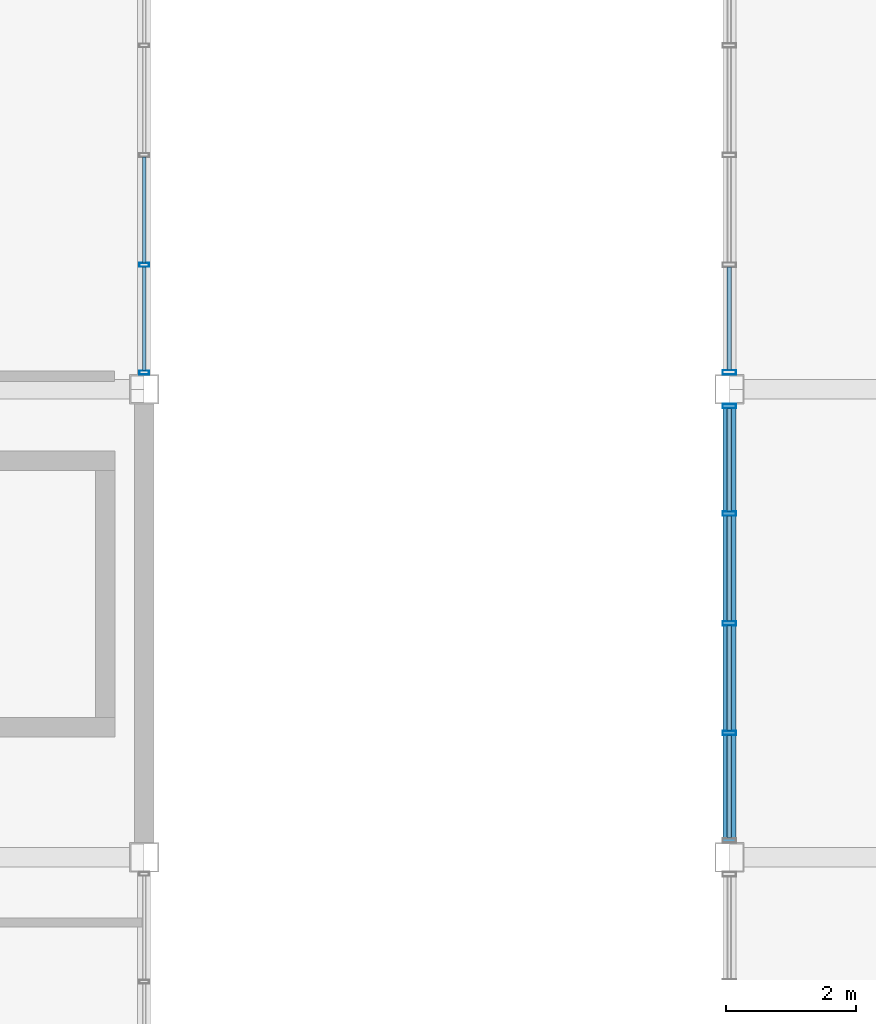
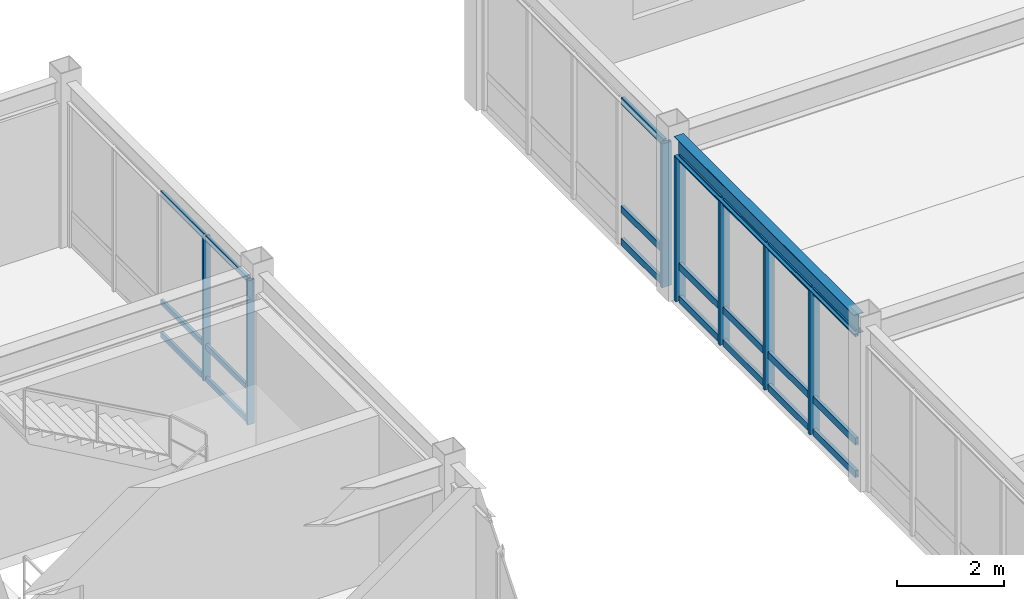
# One storey, part 61 of 113: 28 members, 1 beam, 3 elements without a shape of their own.
"""IFC4 building model written with IfcOpenShell, lengths in metres."""

from ifc_helpers import new_model, si_unit, direction, frame, origin, origin_2d, place, context, subcontext, project, spatial, hollow_rectangle, i_section, extrude, material, material_profile, profile_set, type_object, element, aggregate, save


model = new_model("IFC4")

# Units and contexts
model_context = context("Model", 3, precision=1e-05, world=origin(), true_north=direction((0.0, 1.0)))
body_context = subcontext(model_context, "Body", "Model", "MODEL_VIEW")
ifc_project = project(units=[si_unit("LENGTHUNIT", "METRE"), si_unit("AREAUNIT", "SQUARE_METRE"), si_unit("VOLUMEUNIT", "CUBIC_METRE"), si_unit("PLANEANGLEUNIT", "RADIAN"), si_unit("MASSUNIT", "GRAM", prefix="KILO")], contexts=[model_context])

# Site, building, storey
site_placement = place(None, origin())
site = spatial("IfcSite", under=ifc_project, at=site_placement, CompositionType="ELEMENT")
building_placement = place(site_placement, origin())
building = spatial("IfcBuilding", under=site, at=building_placement, Name="Kazanami Central Library", CompositionType="ELEMENT")
storey_placement = place(building_placement, frame((0.0, 0.0, 8.800048828125)))
storey = spatial("IfcBuildingStorey", under=building, at=storey_placement, Name="L03", CompositionType="ELEMENT", Elevation=8.800048828125)

# Beam
ifc_material_1 = material(Name="Steel SN490B (325 MPa)", Category="steel")
ifc_material_profile_1 = material_profile(ifc_material_1, i_section(OverallWidth=0.199951171875, OverallDepth=0.449951171875, WebThickness=0.009033203125, FlangeThickness=0.013916015625, at=origin_2d()), Name="H-450x200x9x14")
ifc_profile_set_1 = profile_set([ifc_material_profile_1], Name="Steel SN490B (325 MPa)")
beam_type = type_object("IfcBeamType", Name="BM-SP-2", PredefinedType="SPANDREL", material=ifc_profile_set_1)
beam_placement = place(storey_placement, frame((45.0, 79.423095703125, 3.52001953125), z_axis=(0.0, 1.0, 0.0), x_axis=(-1.0, 0.0, 0.0)))
element("IfcBeam", 1, at=beam_placement, inside=storey, type_object=beam_type, Name="Girder SP-2 L03 6/M-N", PredefinedType="SPANDREL", context=body_context, shape_type="SweptSolid", body=[
    extrude(i_section(OverallWidth=0.199951171875, OverallDepth=0.449951171875, WebThickness=0.009033203125, FlangeThickness=0.013916015625, at=origin_2d()), origin(), (0.0, 0.0, 1.0), 6.75390625),
])

# Curtain wall, members
ifc_material_2 = material(Name="Acid-Etched Low-E Laminated Glass", Category="glass")
curtain_wall_type = type_object("IfcCurtainWallType", Name="CW-6750x3295-M180", PredefinedType="USERDEFINED", material=ifc_material_2)
curtain_wall_1_placement = place(storey_placement, origin())
curtain_wall_1 = element("IfcCurtainWall", 2, at=curtain_wall_1_placement, inside=storey, type_object=curtain_wall_type, Name="Covered Link Bridge Curtain Wall CW-32 L03 W-6-11", ObjectType="UNITISED CURTAIN WALL", PredefinedType="USERDEFINED")
ifc_material_3 = material(Name="Anodised Aluminium A6063-T5", Category="aluminium")
ifc_material_profile_2 = material_profile(ifc_material_3, hollow_rectangle(XDim=0.070068359375, YDim=0.2099609375, WallThickness=0.0048828125, at=origin_2d()), Name="ALU-MULL-70x210x5")
ifc_profile_set_2 = profile_set([ifc_material_profile_2], Name="Anodised Aluminium A6063-T5")
member_type_1 = type_object("IfcMemberType", Name="MEM-CW-M1", PredefinedType="MULLION", material=ifc_profile_set_2)
member_1_placement = place(storey_placement, frame((45.0, 81.112548828125, 0.0), z_axis=(0.0, 0.0, 1.0), x_axis=(0.0, 1.0, 0.0)))
member_1 = element("IfcMember", 3, at=member_1_placement, type_object=member_type_1, Name="CW-32 mullion 2", PredefinedType="MULLION", context=body_context, shape_type="SweptSolid", body=[
    extrude(hollow_rectangle(XDim=0.070068359375, YDim=0.2099609375, WallThickness=0.0048828125, at=origin_2d()), origin(), (0.0, 0.0, 1.0), 3.294921875),
])
member_2_placement = place(storey_placement, frame((45.0, 82.800048828125, 0.0), z_axis=(0.0, 0.0, 1.0), x_axis=(0.0, 1.0, 0.0)))
member_2 = element("IfcMember", 4, at=member_2_placement, type_object=member_type_1, Name="CW-32 mullion 3", PredefinedType="MULLION", context=body_context, shape_type="SweptSolid", body=[
    extrude(hollow_rectangle(XDim=0.070068359375, YDim=0.2099609375, WallThickness=0.0048828125, at=origin_2d()), origin(), (0.0, 0.0, 1.0), 3.294921875),
])
member_3_placement = place(storey_placement, frame((45.0, 84.487548828125, 0.0), z_axis=(0.0, 0.0, 1.0), x_axis=(0.0, 1.0, 0.0)))
member_3 = element("IfcMember", 5, at=member_3_placement, type_object=member_type_1, Name="CW-32 mullion 4", PredefinedType="MULLION", context=body_context, shape_type="SweptSolid", body=[
    extrude(hollow_rectangle(XDim=0.070068359375, YDim=0.2099609375, WallThickness=0.0048828125, at=origin_2d()), origin(), (0.0, 0.0, 1.0), 3.294921875),
])
member_4_placement = place(storey_placement, frame((45.0, 86.139892578125, 0.0), z_axis=(0.0, 0.0, 1.0), x_axis=(0.0, 1.0, 0.0)))
member_4 = element("IfcMember", 6, at=member_4_placement, type_object=member_type_1, Name="CW-32 mullion 5", PredefinedType="MULLION", context=body_context, shape_type="SweptSolid", body=[
    extrude(hollow_rectangle(XDim=0.070068359375, YDim=0.2099609375, WallThickness=0.0048828125, at=origin_2d()), origin(), (0.0, 0.0, 1.0), 3.294921875),
])

# Curtain wall, member
curtain_wall_2_placement = place(storey_placement, origin())
curtain_wall_2 = element("IfcCurtainWall", 7, at=curtain_wall_2_placement, inside=storey, type_object=curtain_wall_type, Name="Covered Link Bridge Curtain Wall CW-32 L03 W-6-12", ObjectType="UNITISED CURTAIN WALL", PredefinedType="USERDEFINED")
member_5_placement = place(storey_placement, frame((45.0, 86.659912109375, 0.0), z_axis=(0.0, 0.0, 1.0), x_axis=(0.0, 1.0, 0.0)))
member_5 = element("IfcMember", 8, at=member_5_placement, type_object=member_type_1, Name="CW-32 mullion 1", PredefinedType="MULLION", context=body_context, shape_type="SweptSolid", body=[
    extrude(hollow_rectangle(XDim=0.070068359375, YDim=0.2099609375, WallThickness=0.0048828125, at=origin_2d()), origin(), (0.0, 0.0, 1.0), 3.294921875),
])

# Curtain wall, members
curtain_wall_3_placement = place(storey_placement, origin())
curtain_wall_3 = element("IfcCurtainWall", 9, at=curtain_wall_3_placement, inside=storey, type_object=curtain_wall_type, Name="Covered Link Bridge Curtain Wall CW-32 L03 E-5-12", ObjectType="UNITISED CURTAIN WALL", PredefinedType="USERDEFINED")
ifc_material_profile_3 = material_profile(ifc_material_3, hollow_rectangle(XDim=0.06005859375, YDim=0.14990234375, WallThickness=0.00390625, at=origin_2d()), Name="ALU-MULL-60x150x4")
ifc_profile_set_3 = profile_set([ifc_material_profile_3], Name="Anodised Aluminium A6063-T5")
member_type_2 = type_object("IfcMemberType", Name="MEM-CW-M3", PredefinedType="MULLION", material=ifc_profile_set_3)
member_6_placement = place(storey_placement, frame((36.0, 88.3125, 0.0), z_axis=(0.0, 0.0, 1.0), x_axis=(0.0, -1.0, 0.0)))
member_6 = element("IfcMember", 10, at=member_6_placement, type_object=member_type_2, Name="CW-32 mullion 4", PredefinedType="MULLION", context=body_context, shape_type="SweptSolid", body=[
    extrude(hollow_rectangle(XDim=0.06005859375, YDim=0.14990234375, WallThickness=0.00390625, at=origin_2d()), origin(), (0.0, 0.0, 1.0), 3.294921875),
])
member_7_placement = place(storey_placement, frame((36.0, 86.655029296875, 0.0), z_axis=(0.0, 0.0, 1.0), x_axis=(0.0, -1.0, 0.0)))
member_7 = element("IfcMember", 11, at=member_7_placement, type_object=member_type_2, Name="CW-32 mullion 5", PredefinedType="MULLION", context=body_context, shape_type="SweptSolid", body=[
    extrude(hollow_rectangle(XDim=0.06005859375, YDim=0.14990234375, WallThickness=0.00390625, at=origin_2d()), origin(), (0.0, 0.0, 1.0), 3.294921875),
])

# Member
ifc_material_profile_4 = material_profile(ifc_material_3, hollow_rectangle(XDim=0.070068359375, YDim=0.159912109375, WallThickness=0.00390625, at=origin_2d()), Name="ALU-TRAN-70x160x4")
ifc_profile_set_4 = profile_set([ifc_material_profile_4], Name="Anodised Aluminium A6063-T5")
member_type_3 = type_object("IfcMemberType", Name="MEM-CW-T1", PredefinedType="USERDEFINED", material=ifc_profile_set_4)
member_8_placement = place(storey_placement, frame((45.0, 79.4951171875, 0.034912109375), z_axis=(0.0, 1.0, 0.0), x_axis=(-1.0, 0.0, 0.0)))
member_8 = element("IfcMember", 12, at=member_8_placement, type_object=member_type_3, Name="CW-32 transom 1.1", ObjectType="TRANSOM", PredefinedType="USERDEFINED", context=body_context, shape_type="SweptSolid", body=[
    extrude(hollow_rectangle(XDim=0.070068359375, YDim=0.159912109375, WallThickness=0.00390625, at=origin_2d()), origin(), (0.0, 0.0, 1.0), 1.582275390625),
])

member_9_placement = place(storey_placement, frame((45.0, 79.4951171875, 0.780029296875), z_axis=(0.0, 1.0, 0.0), x_axis=(-1.0, 0.0, 0.0)))
member_9 = element("IfcMember", 13, at=member_9_placement, type_object=member_type_3, Name="CW-32 transom 1.2", ObjectType="TRANSOM", PredefinedType="USERDEFINED", context=body_context, shape_type="SweptSolid", body=[
    extrude(hollow_rectangle(XDim=0.070068359375, YDim=0.159912109375, WallThickness=0.00390625, at=origin_2d()), origin(), (0.0, 0.0, 1.0), 1.582275390625),
])

member_10_placement = place(storey_placement, frame((45.0, 79.4951171875, 3.260009765625), z_axis=(0.0, 1.0, 0.0), x_axis=(-1.0, 0.0, 0.0)))
member_10 = element("IfcMember", 14, at=member_10_placement, type_object=member_type_3, Name="CW-32 transom 1.3", ObjectType="TRANSOM", PredefinedType="USERDEFINED", context=body_context, shape_type="SweptSolid", body=[
    extrude(hollow_rectangle(XDim=0.070068359375, YDim=0.159912109375, WallThickness=0.00390625, at=origin_2d()), origin(), (0.0, 0.0, 1.0), 1.582275390625),
])

member_11_placement = place(storey_placement, frame((45.0, 81.1474609375, 0.034912109375), z_axis=(0.0, 1.0, 0.0), x_axis=(-1.0, 0.0, 0.0)))
member_11 = element("IfcMember", 15, at=member_11_placement, type_object=member_type_3, Name="CW-32 transom 2.1", ObjectType="TRANSOM", PredefinedType="USERDEFINED", context=body_context, shape_type="SweptSolid", body=[
    extrude(hollow_rectangle(XDim=0.070068359375, YDim=0.159912109375, WallThickness=0.00390625, at=origin_2d()), origin(), (0.0, 0.0, 1.0), 1.617431640625),
])

member_12_placement = place(storey_placement, frame((45.0, 81.1474609375, 0.780029296875), z_axis=(0.0, 1.0, 0.0), x_axis=(-1.0, 0.0, 0.0)))
member_12 = element("IfcMember", 16, at=member_12_placement, type_object=member_type_3, Name="CW-32 transom 2.2", ObjectType="TRANSOM", PredefinedType="USERDEFINED", context=body_context, shape_type="SweptSolid", body=[
    extrude(hollow_rectangle(XDim=0.070068359375, YDim=0.159912109375, WallThickness=0.00390625, at=origin_2d()), origin(), (0.0, 0.0, 1.0), 1.617431640625),
])

member_13_placement = place(storey_placement, frame((45.0, 81.1474609375, 3.260009765625), z_axis=(0.0, 1.0, 0.0), x_axis=(-1.0, 0.0, 0.0)))
member_13 = element("IfcMember", 17, at=member_13_placement, type_object=member_type_3, Name="CW-32 transom 2.3", ObjectType="TRANSOM", PredefinedType="USERDEFINED", context=body_context, shape_type="SweptSolid", body=[
    extrude(hollow_rectangle(XDim=0.070068359375, YDim=0.159912109375, WallThickness=0.00390625, at=origin_2d()), origin(), (0.0, 0.0, 1.0), 1.617431640625),
])

member_14_placement = place(storey_placement, frame((45.0, 82.8349609375, 0.034912109375), z_axis=(0.0, 1.0, 0.0), x_axis=(-1.0, 0.0, 0.0)))
member_14 = element("IfcMember", 18, at=member_14_placement, type_object=member_type_3, Name="CW-32 transom 3.1", ObjectType="TRANSOM", PredefinedType="USERDEFINED", context=body_context, shape_type="SweptSolid", body=[
    extrude(hollow_rectangle(XDim=0.070068359375, YDim=0.159912109375, WallThickness=0.00390625, at=origin_2d()), origin(), (0.0, 0.0, 1.0), 1.617431640625),
])

member_15_placement = place(storey_placement, frame((45.0, 82.8349609375, 0.780029296875), z_axis=(0.0, 1.0, 0.0), x_axis=(-1.0, 0.0, 0.0)))
member_15 = element("IfcMember", 19, at=member_15_placement, type_object=member_type_3, Name="CW-32 transom 3.2", ObjectType="TRANSOM", PredefinedType="USERDEFINED", context=body_context, shape_type="SweptSolid", body=[
    extrude(hollow_rectangle(XDim=0.070068359375, YDim=0.159912109375, WallThickness=0.00390625, at=origin_2d()), origin(), (0.0, 0.0, 1.0), 1.617431640625),
])

member_16_placement = place(storey_placement, frame((45.0, 82.8349609375, 3.260009765625), z_axis=(0.0, 1.0, 0.0), x_axis=(-1.0, 0.0, 0.0)))
member_16 = element("IfcMember", 20, at=member_16_placement, type_object=member_type_3, Name="CW-32 transom 3.3", ObjectType="TRANSOM", PredefinedType="USERDEFINED", context=body_context, shape_type="SweptSolid", body=[
    extrude(hollow_rectangle(XDim=0.070068359375, YDim=0.159912109375, WallThickness=0.00390625, at=origin_2d()), origin(), (0.0, 0.0, 1.0), 1.617431640625),
])

member_17_placement = place(storey_placement, frame((45.0, 84.5224609375, 0.034912109375), z_axis=(0.0, 1.0, 0.0), x_axis=(-1.0, 0.0, 0.0)))
member_17 = element("IfcMember", 21, at=member_17_placement, type_object=member_type_3, Name="CW-32 transom 4.1", ObjectType="TRANSOM", PredefinedType="USERDEFINED", context=body_context, shape_type="SweptSolid", body=[
    extrude(hollow_rectangle(XDim=0.070068359375, YDim=0.159912109375, WallThickness=0.00390625, at=origin_2d()), origin(), (0.0, 0.0, 1.0), 1.58251953125),
])

member_18_placement = place(storey_placement, frame((45.0, 84.5224609375, 0.780029296875), z_axis=(0.0, 1.0, 0.0), x_axis=(-1.0, 0.0, 0.0)))
member_18 = element("IfcMember", 22, at=member_18_placement, type_object=member_type_3, Name="CW-32 transom 4.2", ObjectType="TRANSOM", PredefinedType="USERDEFINED", context=body_context, shape_type="SweptSolid", body=[
    extrude(hollow_rectangle(XDim=0.070068359375, YDim=0.159912109375, WallThickness=0.00390625, at=origin_2d()), origin(), (0.0, 0.0, 1.0), 1.58251953125),
])

member_19_placement = place(storey_placement, frame((45.0, 84.5224609375, 3.260009765625), z_axis=(0.0, 1.0, 0.0), x_axis=(-1.0, 0.0, 0.0)))
member_19 = element("IfcMember", 23, at=member_19_placement, type_object=member_type_3, Name="CW-32 transom 4.3", ObjectType="TRANSOM", PredefinedType="USERDEFINED", context=body_context, shape_type="SweptSolid", body=[
    extrude(hollow_rectangle(XDim=0.070068359375, YDim=0.159912109375, WallThickness=0.00390625, at=origin_2d()), origin(), (0.0, 0.0, 1.0), 1.58251953125),
])

aggregate(curtain_wall_1, [member_1, member_2, member_3, member_4, member_8, member_9, member_10, member_11, member_12, member_13, member_14, member_15, member_16, member_17, member_18, member_19])

member_20_placement = place(storey_placement, frame((45.0, 86.695068359375, 0.034912109375), z_axis=(0.0, 1.0, 0.0), x_axis=(-1.0, 0.0, 0.0)))
member_20 = element("IfcMember", 24, at=member_20_placement, type_object=member_type_3, Name="CW-32 transom 1.1", ObjectType="TRANSOM", PredefinedType="USERDEFINED", context=body_context, shape_type="SweptSolid", body=[
    extrude(hollow_rectangle(XDim=0.070068359375, YDim=0.159912109375, WallThickness=0.00390625, at=origin_2d()), origin(), (0.0, 0.0, 1.0), 1.58251953125),
])

member_21_placement = place(storey_placement, frame((45.0, 86.695068359375, 0.780029296875), z_axis=(0.0, 1.0, 0.0), x_axis=(-1.0, 0.0, 0.0)))
member_21 = element("IfcMember", 25, at=member_21_placement, type_object=member_type_3, Name="CW-32 transom 1.2", ObjectType="TRANSOM", PredefinedType="USERDEFINED", context=body_context, shape_type="SweptSolid", body=[
    extrude(hollow_rectangle(XDim=0.070068359375, YDim=0.159912109375, WallThickness=0.00390625, at=origin_2d()), origin(), (0.0, 0.0, 1.0), 1.58251953125),
])

member_22_placement = place(storey_placement, frame((45.0, 86.695068359375, 3.260009765625), z_axis=(0.0, 1.0, 0.0), x_axis=(-1.0, 0.0, 0.0)))
member_22 = element("IfcMember", 26, at=member_22_placement, type_object=member_type_3, Name="CW-32 transom 1.3", ObjectType="TRANSOM", PredefinedType="USERDEFINED", context=body_context, shape_type="SweptSolid", body=[
    extrude(hollow_rectangle(XDim=0.070068359375, YDim=0.159912109375, WallThickness=0.00390625, at=origin_2d()), origin(), (0.0, 0.0, 1.0), 1.58251953125),
])

aggregate(curtain_wall_2, [member_5, member_20, member_21, member_22])

ifc_material_profile_5 = material_profile(ifc_material_3, hollow_rectangle(XDim=0.06005859375, YDim=0.1201171875, WallThickness=0.00341796875, at=origin_2d()), Name="ALU-TRAN-60x120x3.5")
ifc_profile_set_5 = profile_set([ifc_material_profile_5], Name="Anodised Aluminium A6063-T5")
member_type_4 = type_object("IfcMemberType", Name="MEM-CW-T3", PredefinedType="USERDEFINED", material=ifc_profile_set_5)
member_23_placement = place(storey_placement, frame((36.0, 89.969970703125, 0.030029296875), z_axis=(0.0, -1.0, 0.0), x_axis=(1.0, 0.0, 0.0)))
member_23 = element("IfcMember", 27, at=member_23_placement, type_object=member_type_4, Name="CW-32 transom 3.1", ObjectType="TRANSOM", PredefinedType="USERDEFINED", context=body_context, shape_type="SweptSolid", body=[
    extrude(hollow_rectangle(XDim=0.06005859375, YDim=0.1201171875, WallThickness=0.00341796875, at=origin_2d()), origin(), (0.0, 0.0, 1.0), 1.62744140625),
])

member_24_placement = place(storey_placement, frame((36.0, 89.969970703125, 0.780029296875), z_axis=(0.0, -1.0, 0.0), x_axis=(1.0, 0.0, 0.0)))
member_24 = element("IfcMember", 28, at=member_24_placement, type_object=member_type_4, Name="CW-32 transom 3.2", ObjectType="TRANSOM", PredefinedType="USERDEFINED", context=body_context, shape_type="SweptSolid", body=[
    extrude(hollow_rectangle(XDim=0.06005859375, YDim=0.1201171875, WallThickness=0.00341796875, at=origin_2d()), origin(), (0.0, 0.0, 1.0), 1.62744140625),
])

member_25_placement = place(storey_placement, frame((36.0, 89.969970703125, 3.264892578125), z_axis=(0.0, -1.0, 0.0), x_axis=(1.0, 0.0, 0.0)))
member_25 = element("IfcMember", 29, at=member_25_placement, type_object=member_type_4, Name="CW-32 transom 3.3", ObjectType="TRANSOM", PredefinedType="USERDEFINED", context=body_context, shape_type="SweptSolid", body=[
    extrude(hollow_rectangle(XDim=0.06005859375, YDim=0.1201171875, WallThickness=0.00341796875, at=origin_2d()), origin(), (0.0, 0.0, 1.0), 1.62744140625),
])

member_26_placement = place(storey_placement, frame((36.0, 88.282470703125, 0.030029296875), z_axis=(0.0, -1.0, 0.0), x_axis=(1.0, 0.0, 0.0)))
member_26 = element("IfcMember", 30, at=member_26_placement, type_object=member_type_4, Name="CW-32 transom 4.1", ObjectType="TRANSOM", PredefinedType="USERDEFINED", context=body_context, shape_type="SweptSolid", body=[
    extrude(hollow_rectangle(XDim=0.06005859375, YDim=0.1201171875, WallThickness=0.00341796875, at=origin_2d()), origin(), (0.0, 0.0, 1.0), 1.597412109375),
])

member_27_placement = place(storey_placement, frame((36.0, 88.282470703125, 0.780029296875), z_axis=(0.0, -1.0, 0.0), x_axis=(1.0, 0.0, 0.0)))
member_27 = element("IfcMember", 31, at=member_27_placement, type_object=member_type_4, Name="CW-32 transom 4.2", ObjectType="TRANSOM", PredefinedType="USERDEFINED", context=body_context, shape_type="SweptSolid", body=[
    extrude(hollow_rectangle(XDim=0.06005859375, YDim=0.1201171875, WallThickness=0.00341796875, at=origin_2d()), origin(), (0.0, 0.0, 1.0), 1.597412109375),
])

member_28_placement = place(storey_placement, frame((36.0, 88.282470703125, 3.264892578125), z_axis=(0.0, -1.0, 0.0), x_axis=(1.0, 0.0, 0.0)))
member_28 = element("IfcMember", 32, at=member_28_placement, type_object=member_type_4, Name="CW-32 transom 4.3", ObjectType="TRANSOM", PredefinedType="USERDEFINED", context=body_context, shape_type="SweptSolid", body=[
    extrude(hollow_rectangle(XDim=0.06005859375, YDim=0.1201171875, WallThickness=0.00341796875, at=origin_2d()), origin(), (0.0, 0.0, 1.0), 1.597412109375),
])

aggregate(curtain_wall_3, [member_6, member_7, member_23, member_24, member_25, member_26, member_27, member_28])

save(model, "model.ifc")
